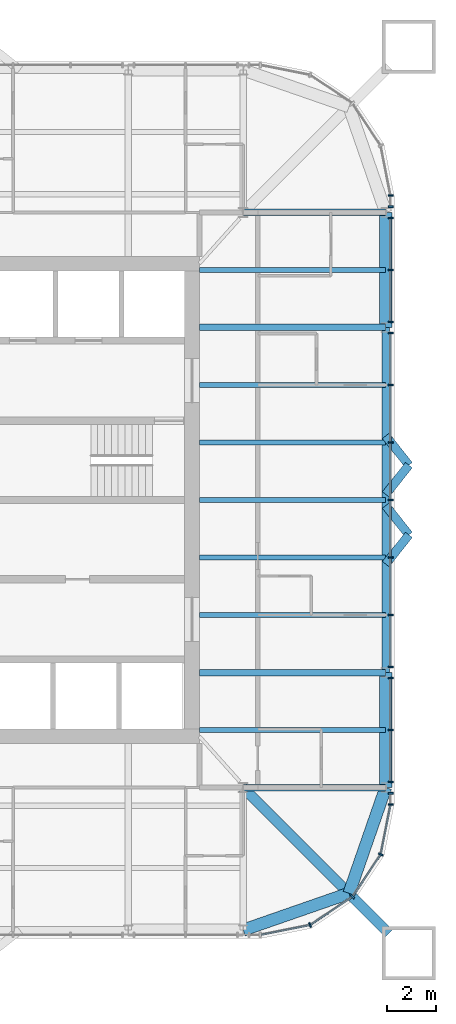
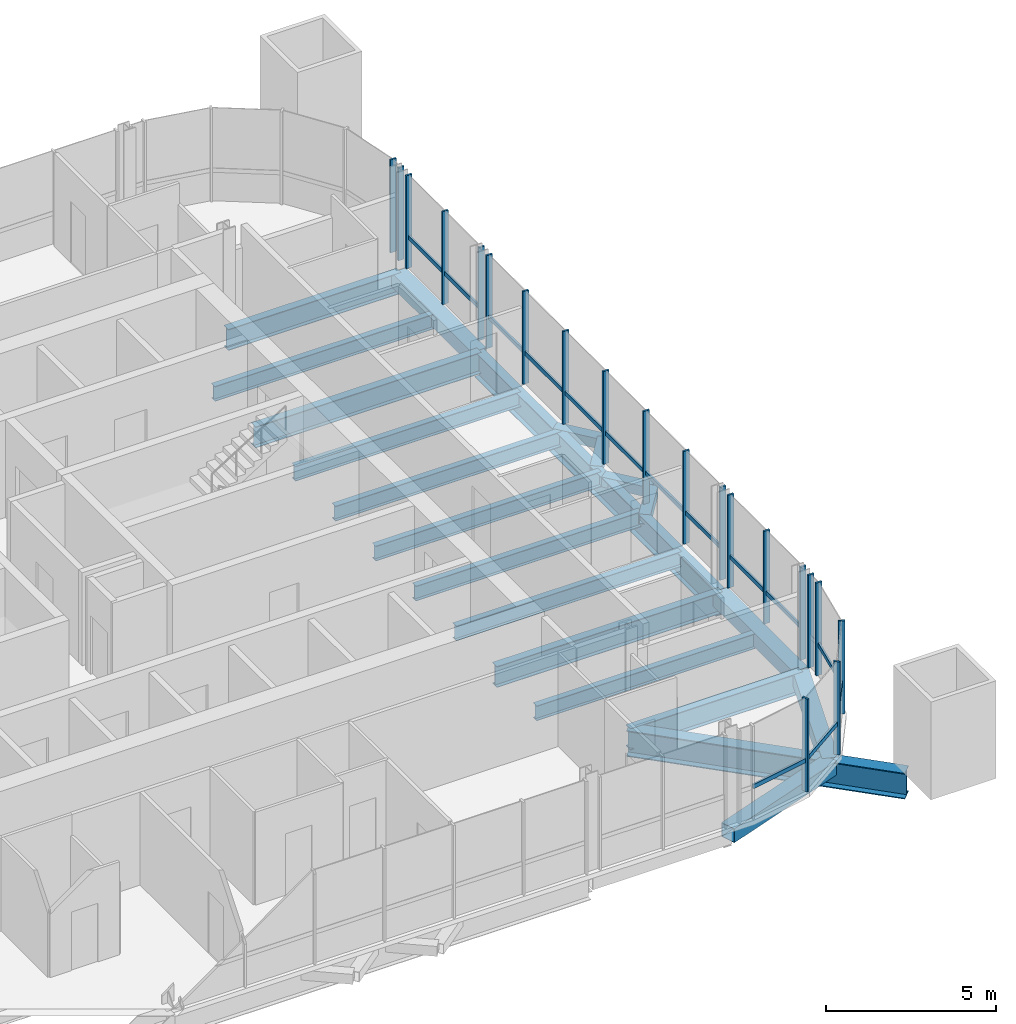
# One storey, part 5 of 17: 34 members, 21 beams, 6 elements without a shape of their own.
"""IFC4 building model written with IfcOpenShell, lengths in metres."""

import ifcopenshell
import ifcopenshell.guid

model = None  # the IFC model being written
_history = None  # IfcOwnerHistory: only IFC2X3 demands one
_inside = {}  # id of a spatial element -> (the spatial element, [elements in it])
_under = {}  # id of a project, library or spatial element -> (it, [spatial elements below it])
_declared = {}  # id of a project -> (the project, [libraries it declares])
_typed = {}  # id of a type object -> (the type object, [elements of that type])
_made_of = {}  # id of a material, layer set ... -> (it, [elements and type objects made of it])


def new_model(schema):
    """Start an empty IFC model of exactly this schema.

    Asked for "IFC4X3", IfcOpenShell would pick the latest addendum, in which some entities
    have other attributes; the version numbers below select the first issue.
    IFC2X3 requires an IfcOwnerHistory on every rooted entity: one is made here for all.
    """
    global model, _history
    if schema == "IFC4X3":
        model = ifcopenshell.file(schema_version=(4, 3, 0, 0))
    else:
        model = ifcopenshell.file(schema=schema)
    _inside.clear()
    _under.clear()
    _declared.clear()
    _typed.clear()
    _made_of.clear()
    _history = None
    if model.schema == "IFC2X3":
        org = make("IfcOrganization", Name="unknown")
        user = make(
            "IfcPersonAndOrganization",
            ThePerson=make("IfcPerson", FamilyName="unknown"),
            TheOrganization=org,
        )
        app = make(
            "IfcApplication",
            ApplicationDeveloper=org,
            Version="unknown",
            ApplicationFullName="unknown",
            ApplicationIdentifier="unknown",
        )
        _history = make(
            "IfcOwnerHistory",
            OwningUser=user,
            OwningApplication=app,
            ChangeAction="ADDED",
            CreationDate=0,
        )
    return model


def make(cls, **values):
    """One entity of the class cls with the attributes given. An attribute that is None is left unset."""
    return model.create_entity(
        cls, **{name: value for name, value in values.items() if value is not None}
    )


def rooted(cls, **values):
    """An entity with a GlobalId (a new one), such as an element, a storey or a relation."""
    return make(cls, GlobalId=ifcopenshell.guid.new(), OwnerHistory=_history, **values)


def si_unit(unit_type, name, prefix=None):
    """IfcSIUnit, for example si_unit("LENGTHUNIT", "METRE", prefix="MILLI")."""
    return make("IfcSIUnit", UnitType=unit_type, Prefix=prefix, Name=name)


def assignment(units):
    """IfcUnitAssignment: the units of a project."""
    return None if units is None else make("IfcUnitAssignment", Units=units)


def point(xyz):
    """IfcCartesianPoint."""
    return None if xyz is None else make("IfcCartesianPoint", Coordinates=xyz)


def direction(xyz):
    """IfcDirection."""
    return None if xyz is None else make("IfcDirection", DirectionRatios=xyz)


def frame(location, z_axis=None, x_axis=None):
    """IfcAxis2Placement3D, a coordinate frame: its origin and axes. An axis left out is left unset."""
    return make(
        "IfcAxis2Placement3D",
        Location=point(location),
        Axis=direction(z_axis),
        RefDirection=direction(x_axis),
    )


def frame_2d(location, x_axis=None):
    """IfcAxis2Placement2D, a coordinate frame in the plane: its origin and x axis."""
    return make(
        "IfcAxis2Placement2D", Location=point(location), RefDirection=direction(x_axis)
    )


def origin():
    """The frame at (0, 0, 0) with its axes left unset."""
    return frame((0.0, 0.0, 0.0))


def origin_2d():
    """The frame at (0, 0) in the plane with its x axis left unset."""
    return frame_2d((0.0, 0.0))


def place(relative_to, where):
    """IfcLocalPlacement: puts the frame where relative to a parent placement (None: the world)."""
    return make(
        "IfcLocalPlacement", PlacementRelTo=relative_to, RelativePlacement=where
    )


def context(
    kind, dimensions, precision=None, world=None, true_north=None, identifier=None
):
    """IfcGeometricRepresentationContext, for example the 3D "Model" context."""
    return make(
        "IfcGeometricRepresentationContext",
        ContextIdentifier=identifier,
        ContextType=kind,
        CoordinateSpaceDimension=dimensions,
        Precision=precision,
        WorldCoordinateSystem=world,
        TrueNorth=true_north,
    )


def subcontext(parent, identifier, kind, view, scale=None):
    """IfcGeometricRepresentationSubContext, for example "Body" below "Model"."""
    return make(
        "IfcGeometricRepresentationSubContext",
        ContextIdentifier=identifier,
        ContextType=kind,
        ParentContext=parent,
        TargetScale=scale,
        TargetView=view,
    )


def project(units=None, contexts=None):
    """IfcProject with its units and contexts."""
    return rooted(
        "IfcProject",
        Name="project",
        RepresentationContexts=contexts,
        UnitsInContext=assignment(units),
    )


def spatial(cls, under=None, at=None, **own):
    """A site, building, storey or space (cls), placed at a placement, below another one or the project."""
    s = rooted(cls, ObjectPlacement=at, **own)
    if under is not None:
        _under.setdefault(under.id(), (under, []))[1].append(s)
    return s


def profile(cls, at=None, kind="AREA", **sizes):
    """A parametric profile (cls). Its sizes go by their IFC names, for example OverallWidth=200.0."""
    return make(cls, ProfileType=kind, Position=at, **sizes)


def rectangle(**sizes):
    """IfcRectangleProfileDef."""
    return profile("IfcRectangleProfileDef", **sizes)


def hollow_rectangle(**sizes):
    """IfcRectangleHollowProfileDef."""
    return profile("IfcRectangleHollowProfileDef", **sizes)


def i_section(**sizes):
    """IfcIShapeProfileDef."""
    return profile("IfcIShapeProfileDef", **sizes)


def extrude(swept, where, along, depth):
    """IfcExtrudedAreaSolid: the profile swept, set in the frame where, extruded along a direction by depth."""
    return make(
        "IfcExtrudedAreaSolid",
        SweptArea=swept,
        Position=where,
        ExtrudedDirection=direction(along),
        Depth=depth,
    )


def shape(context_of_items, identifier, shape_type, items):
    """IfcShapeRepresentation: the items that make up one representation, for example the "Body"."""
    return make(
        "IfcShapeRepresentation",
        ContextOfItems=context_of_items,
        RepresentationIdentifier=identifier,
        RepresentationType=shape_type,
        Items=items,
    )


def material(Name=None, Category=None):
    """IfcMaterial."""
    return make("IfcMaterial", Name=Name, Category=Category)


def material_profile(
    of_material, cross_section, Name=None, Category=None, Priority=None
):
    """IfcMaterialProfile: a cross section and its material."""
    return make(
        "IfcMaterialProfile",
        Name=Name,
        Material=of_material,
        Profile=cross_section,
        Priority=Priority,
        Category=Category,
    )


def profile_set(profiles, Name=None, composite=None):
    """IfcMaterialProfileSet."""
    return make(
        "IfcMaterialProfileSet",
        Name=Name,
        MaterialProfiles=profiles,
        CompositeProfile=composite,
    )


def made_of(thing, what):
    """Note that an element or type object is made of a material, layer set ...; save() writes the relation."""
    if what is not None:
        _made_of.setdefault(what.id(), (what, []))[1].append(thing)
    return thing


def type_object(cls, material=None, **own):
    """A type object (cls), such as IfcWallType, which elements share."""
    return made_of(rooted(cls, **own), material)


def element(
    cls,
    number,
    at=None,
    inside=None,
    cuts=None,
    type_object=None,
    material=None,
    context=None,
    identifier="Body",
    shape_type=None,
    held_by="IfcProductDefinitionShape",
    body=None,
    shapes=None,
    **own,
):
    """One element of the class cls, such as IfcWall. Its Tag is "e" and its number.

    at: its placement. inside: the storey or other place that contains it. cuts: it is an
    opening in that element (IfcRelVoidsElement). A single representation is given by context,
    identifier, shape_type and body (its items); several are given by shapes. held_by: the class
    of the entity that holds the representations. save() writes the other relations.
    """
    e = rooted(cls, Tag="e%d" % number, ObjectPlacement=at, **own)
    if body is not None:
        shapes = [shape(context, identifier, shape_type, body)]
    if shapes is not None:
        e.Representation = make(held_by, Representations=shapes)
    if inside is not None:
        _inside.setdefault(inside.id(), (inside, []))[1].append(e)
    if cuts is not None:
        rooted(
            "IfcRelVoidsElement", RelatingBuildingElement=cuts, RelatedOpeningElement=e
        )
    if type_object is not None:
        _typed.setdefault(type_object.id(), (type_object, []))[1].append(e)
    return made_of(e, material)


def aggregate(whole, parts):
    """IfcRelAggregates: a whole, such as a stair, and the parts it consists of."""
    return rooted("IfcRelAggregates", RelatingObject=whole, RelatedObjects=parts)


def save(model, path):
    """Write the relations noted so far, then the file.

    IfcRelAggregates (storeys below a building ...), IfcRelContainedInSpatialStructure (elements
    in a storey), IfcRelDefinesByType, IfcRelAssociatesMaterial and IfcRelDeclares: one each for
    every whole, place, type object, material and project.
    """
    for whole, parts in _under.values():
        aggregate(whole, parts)
    for where, things in _inside.values():
        rooted(
            "IfcRelContainedInSpatialStructure",
            RelatedElements=things,
            RelatingStructure=where,
        )
    for kind, things in _typed.values():
        rooted("IfcRelDefinesByType", RelatedObjects=things, RelatingType=kind)
    for what, things in _made_of.values():
        rooted("IfcRelAssociatesMaterial", RelatedObjects=things, RelatingMaterial=what)
    for by, libraries in _declared.values():
        rooted("IfcRelDeclares", RelatingContext=by, RelatedDefinitions=libraries)
    model.write(path)


model = new_model("IFC4")

# Units and contexts
model_context = context("Model", 3, precision=1e-05, world=origin(), true_north=direction((0.0, 1.0)))
body_context = subcontext(model_context, "Body", "Model", "MODEL_VIEW")
ifc_project = project(units=[si_unit("LENGTHUNIT", "METRE"), si_unit("AREAUNIT", "SQUARE_METRE"), si_unit("VOLUMEUNIT", "CUBIC_METRE"), si_unit("PLANEANGLEUNIT", "RADIAN"), si_unit("MASSUNIT", "GRAM", prefix="KILO")], contexts=[model_context])

# Site, building, storey
site_placement = place(None, origin())
site = spatial("IfcSite", under=ifc_project, at=site_placement, CompositionType="ELEMENT")
building_placement = place(site_placement, origin())
building = spatial("IfcBuilding", under=site, at=building_placement, Name="Turquesa Mirador Hotel Tower", CompositionType="ELEMENT")
storey_placement = place(building_placement, frame((0.0, 0.0, 251.199951171875)))
storey = spatial("IfcBuildingStorey", under=building, at=storey_placement, Name="L68", CompositionType="ELEMENT", Elevation=251.199951171875)

# Beams
ifc_material_1 = material(Name="Steel ASTM A572 Grade 50", Category="steel")
ifc_material_profile_1 = material_profile(ifc_material_1, hollow_rectangle(XDim=0.5, YDim=0.5, WallThickness=0.01611328125, at=origin_2d()), Name="BOX500X500X16")
ifc_profile_set_1 = profile_set([ifc_material_profile_1], Name="Steel ASTM A572 Grade 50")
beam_type_1 = type_object("IfcBeamType", Name="BEAM BOX500X500X16", PredefinedType="BEAM", material=ifc_profile_set_1)
for number, where, z_axis, x_axis, name in (
    (1, (72.64990234375, 33.199951171875, -0.419921875), (0.0, 1.0, 0.0), (-1.0, 0.0, 0.0), "EB-L68-E-L"),
    (2, (72.64990234375, 52.080078125, -0.419921875), (0.0, 1.0, 0.0), (-1.0, 0.0, 0.0), "EB-L68-E-R"),
):
    element("IfcBeam", number, at=place(storey_placement, frame(where, z_axis=z_axis, x_axis=x_axis)), inside=storey, type_object=beam_type_1, Name=name, PredefinedType="BEAM", context=body_context, shape_type="SweptSolid", body=[
        extrude(hollow_rectangle(XDim=0.5, YDim=0.5, WallThickness=0.01611328125, at=origin_2d()), origin(), (0.0, 0.0, 1.0), 4.719970703125),
    ])
for number, where, z_axis, x_axis, name in (
    (3, (72.64990234375, 33.199951171875, -0.419921875), (-0.328170356092, -0.944618556552, 0.0), (0.944618556552, -0.328170356092, 0.0), "KE-L68-4-0"),
    (4, (71.1416015625, 28.8583984375, -0.419921875), (-0.944618556552, -0.328170356092, 0.0), (0.328170356092, -0.944618556552, 0.0), "KE-L68-4-1"),
):
    element("IfcBeam", number, at=place(storey_placement, frame(where, z_axis=z_axis, x_axis=x_axis)), inside=storey, type_object=beam_type_1, Name=name, PredefinedType="BEAM", context=body_context, shape_type="SweptSolid", body=[
        extrude(hollow_rectangle(XDim=0.5, YDim=0.5, WallThickness=0.01611328125, at=origin_2d()), origin(), (0.0, 0.0, 1.0), 4.59619140625),
    ])
ifc_material_2 = material(Name="Steel ASTM A992 Grade 50", Category="steel")
ifc_material_profile_2 = material_profile(ifc_material_2, i_section(OverallWidth=0.209228515625, OverallDepth=0.533447265625, WebThickness=0.01025390625, FlangeThickness=0.015625, at=origin_2d()), Name="W21X62")
ifc_profile_set_2 = profile_set([ifc_material_profile_2], Name="Steel ASTM A992 Grade 50")
beam_type_2 = type_object("IfcBeamType", Name="BEAM W21X62", PredefinedType="BEAM", material=ifc_profile_set_2)
for number, where, z_axis, x_axis, name in (
    (5, (72.64990234375, 35.56005859375, -0.436767578125), (-1.0, 0.0, 0.0), (0.0, -1.0, 0.0), "BM-L68-E--9.44"),
    (6, (72.64990234375, 40.280029296875, -0.436767578125), (-1.0, 0.0, 0.0), (0.0, -1.0, 0.0), "BM-L68-E--4.72"),
    (7, (72.64990234375, 42.639892578125, -0.436767578125), (-1.0, 0.0, 0.0), (0.0, -1.0, 0.0), "BM-L68-E--2.36"),
    (8, (72.64990234375, 45.0, -0.436767578125), (-1.0, 0.0, 0.0), (0.0, -1.0, 0.0), "BM-L68-E-+0.00"),
    (9, (72.64990234375, 47.360107421875, -0.436767578125), (-1.0, 0.0, 0.0), (0.0, -1.0, 0.0), "BM-L68-E-+2.36"),
    (10, (72.64990234375, 49.719970703125, -0.436767578125), (-1.0, 0.0, 0.0), (0.0, -1.0, 0.0), "BM-L68-E-+4.72"),
    (11, (72.64990234375, 54.43994140625, -0.436767578125), (-1.0, 0.0, 0.0), (0.0, -1.0, 0.0), "BM-L68-E-+9.44"),
):
    element("IfcBeam", number, at=place(storey_placement, frame(where, z_axis=z_axis, x_axis=x_axis)), inside=storey, type_object=beam_type_2, Name=name, PredefinedType="BEAM", context=body_context, shape_type="SweptSolid", body=[
        extrude(i_section(OverallWidth=0.209228515625, OverallDepth=0.533447265625, WebThickness=0.01025390625, FlangeThickness=0.015625, at=origin_2d()), origin(), (0.0, 0.0, 1.0), 7.64990234375),
    ])
ifc_material_3 = material(Name="Steel ASTM A992 Grade 50", Category="steel")
ifc_material_profile_3 = material_profile(ifc_material_3, i_section(OverallWidth=0.2666015625, OverallDepth=0.7568359375, WebThickness=0.013916015625, FlangeThickness=0.019287109375, at=origin_2d()), Name="W30X108")
ifc_profile_set_3 = profile_set([ifc_material_profile_3], Name="Steel ASTM A992 Grade 50")
beam_type_3 = type_object("IfcBeamType", Name="BEAM W30X108", PredefinedType="BEAM", material=ifc_profile_set_3)
for number, where, z_axis, x_axis, name in (
    (12, (72.64990234375, 37.919921875, -0.54833984375), (-1.0, 0.0, 0.0), (0.0, -1.0, 0.0), "GD-L68-E--7.08"),
    (13, (72.64990234375, 52.080078125, -0.54833984375), (-1.0, 0.0, 0.0), (0.0, -1.0, 0.0), "GD-L68-E-+7.08"),
):
    element("IfcBeam", number, at=place(storey_placement, frame(where, z_axis=z_axis, x_axis=x_axis)), inside=storey, type_object=beam_type_3, Name=name, PredefinedType="BEAM", context=body_context, shape_type="SweptSolid", body=[
        extrude(i_section(OverallWidth=0.2666015625, OverallDepth=0.7568359375, WebThickness=0.013916015625, FlangeThickness=0.019287109375, at=origin_2d()), origin(), (0.0, 0.0, 1.0), 7.64990234375),
    ])
for number, where, z_axis, x_axis, name in (
    (14, (72.64990234375, 33.199951171875, -0.54833984375), (-1.0, 0.0, 0.0), (0.0, -1.0, 0.0), "GK-L68-E--11.80"),
    (15, (72.64990234375, 56.800048828125, -0.54833984375), (-1.0, 0.0, 0.0), (0.0, -1.0, 0.0), "GK-L68-E-+11.80"),
):
    element("IfcBeam", number, at=place(storey_placement, frame(where, z_axis=z_axis, x_axis=x_axis)), inside=storey, type_object=beam_type_3, Name=name, PredefinedType="BEAM", context=body_context, shape_type="SweptSolid", body=[
        extrude(i_section(OverallWidth=0.2666015625, OverallDepth=0.7568359375, WebThickness=0.013916015625, FlangeThickness=0.019287109375, at=origin_2d()), origin(), (0.0, 0.0, 1.0), 5.849853515625),
    ])
ifc_material_4 = material(Name="Steel ASTM A992 Grade 50", Category="steel")
ifc_material_profile_4 = material_profile(ifc_material_4, i_section(OverallWidth=0.3046875, OverallDepth=0.911865234375, WebThickness=0.015869140625, FlangeThickness=0.02392578125, at=origin_2d()), Name="W36X150")
ifc_profile_set_4 = profile_set([ifc_material_profile_4], Name="Steel ASTM A992 Grade 50")
beam_type_4 = type_object("IfcBeamType", Name="BEAM W36X150", PredefinedType="BEAM", material=ifc_profile_set_4)
beam_1_placement = place(storey_placement, frame((72.64990234375, 37.919921875, -0.6259765625), z_axis=(0.0, 1.0, 0.0), x_axis=(-1.0, 0.0, 0.0)))
element("IfcBeam", 16, at=beam_1_placement, inside=storey, type_object=beam_type_4, Name="EB-L68-E-C", PredefinedType="BEAM", context=body_context, shape_type="SweptSolid", body=[
    extrude(i_section(OverallWidth=0.3046875, OverallDepth=0.911865234375, WebThickness=0.015869140625, FlangeThickness=0.02392578125, at=origin_2d()), origin(), (0.0, 0.0, 1.0), 14.16015625),
])
ifc_material_5 = material(Name="Steel ASTM A992 Grade 50", Category="steel")
ifc_material_profile_5 = material_profile(ifc_material_5, i_section(OverallWidth=0.419189453125, OverallDepth=0.927001953125, WebThickness=0.019287109375, FlangeThickness=0.031982421875, at=origin_2d()), Name="W36X231")
ifc_profile_set_5 = profile_set([ifc_material_profile_5], Name="Steel ASTM A992 Grade 50")
beam_type_5 = type_object("IfcBeamType", Name="BEAM W36X231", PredefinedType="BEAM", material=ifc_profile_set_5)
beam_2_placement = place(storey_placement, frame((66.800048828125, 33.199951171875, -0.633544921875), z_axis=(0.707106781187, -0.707106781187, 0.0), x_axis=(0.707106781187, 0.707106781187, 0.0)))
element("IfcBeam", 17, at=beam_2_placement, inside=storey, type_object=beam_type_5, Name="KD-L68-4", PredefinedType="BEAM", context=body_context, shape_type="SweptSolid", body=[
    extrude(i_section(OverallWidth=0.419189453125, OverallDepth=0.927001953125, WebThickness=0.019287109375, FlangeThickness=0.031982421875, at=origin_2d()), origin(), (0.0, 0.0, 1.0), 8.46240234375),
])
ifc_material_6 = material(Name="Steel ASTM A500 Grade C", Category="steel")
ifc_material_profile_6 = material_profile(ifc_material_6, hollow_rectangle(XDim=0.355712890625, YDim=0.355712890625, WallThickness=0.0146484375, at=origin_2d()), Name="HSS14X14X5/8")
ifc_profile_set_6 = profile_set([ifc_material_profile_6], Name="Steel ASTM A500 Grade C")
beam_type_6 = type_object("IfcBeamType", Name="BRACE STRUT HSS14X14X5/8", PredefinedType="BEAM", material=ifc_profile_set_6)
beam_3_placement = place(storey_placement, frame((73.60009765625, 46.4306640625, -0.34765625), z_axis=(-0.620796907089, -0.783971428146, 0.0), x_axis=(0.783971428146, -0.620796907089, 0.0)))
element("IfcBeam", 18, at=beam_3_placement, inside=storey, type_object=beam_type_6, Name="Brace strut", PredefinedType="BEAM", context=body_context, shape_type="SweptSolid", body=[
    extrude(hollow_rectangle(XDim=0.355712890625, YDim=0.355712890625, WallThickness=0.0146484375, at=origin_2d()), origin(), (0.0, 0.0, 1.0), 1.530517578125),
])
for number, where, z_axis, x_axis, name in (
    (19, (73.60009765625, 46.4306640625, -0.34765625), (-0.620719284306, 0.784032888399, 0.0), (-0.784032888399, -0.620719284306, 0.0), "Brace strut"),
    (20, (73.60009765625, 43.5693359375, -0.34765625), (-0.620719284306, -0.784032888399, 0.0), (0.784032888399, -0.620719284306, 0.0), "Brace strut"),
):
    element("IfcBeam", number, at=place(storey_placement, frame(where, z_axis=z_axis, x_axis=x_axis)), inside=storey, type_object=beam_type_6, Name=name, PredefinedType="BEAM", context=body_context, shape_type="SweptSolid", body=[
        extrude(hollow_rectangle(XDim=0.355712890625, YDim=0.355712890625, WallThickness=0.0146484375, at=origin_2d()), origin(), (0.0, 0.0, 1.0), 1.53076171875),
    ])
beam_4_placement = place(storey_placement, frame((73.60009765625, 43.5693359375, -0.34765625), z_axis=(-0.620796907089, 0.783971428146, 0.0), x_axis=(-0.783971428146, -0.620796907089, 0.0)))
element("IfcBeam", 21, at=beam_4_placement, inside=storey, type_object=beam_type_6, Name="Brace strut", PredefinedType="BEAM", context=body_context, shape_type="SweptSolid", body=[
    extrude(hollow_rectangle(XDim=0.355712890625, YDim=0.355712890625, WallThickness=0.0146484375, at=origin_2d()), origin(), (0.0, 0.0, 1.0), 1.530517578125),
])

# Curtain wall, members
ifc_material_7 = material(Name="Aluminium extrusion", Category="aluminium")
curtain_wall_type = type_object("IfcCurtainWallType", Name="CW-4 SUITE FRITTED CURTAIN WALL", PredefinedType="USERDEFINED", material=ifc_material_7)
curtain_wall_1_placement = place(storey_placement, origin())
curtain_wall_1 = element("IfcCurtainWall", 22, at=curtain_wall_1_placement, inside=storey, type_object=curtain_wall_type, Name="CW-4 SUITE FRITTED CURTAIN WALL L68", ObjectType="CURTAIN WALL", PredefinedType="USERDEFINED")
ifc_material_8 = material(Name="Aluminium extrusion", Category="aluminium")
ifc_material_profile_7 = material_profile(ifc_material_8, rectangle(XDim=0.06494140625, YDim=0.199951171875, at=origin_2d()), Name="MULLION 65X200")
ifc_profile_set_7 = profile_set([ifc_material_profile_7], Name="Aluminium extrusion")
member_type_1 = type_object("IfcMemberType", Name="CW MULLION 65X200", PredefinedType="MULLION", material=ifc_profile_set_7)
member_1_placement = place(storey_placement, frame((69.54736328125, 27.55712890625, 0.0), z_axis=(0.0, 0.0, 1.0), x_axis=(0.923879532511, 0.382683432365, 0.0)))
member_1 = element("IfcMember", 23, at=member_1_placement, type_object=member_type_1, Name="Mullion", PredefinedType="MULLION", context=body_context, shape_type="SweptSolid", body=[
    extrude(rectangle(XDim=0.06494140625, YDim=0.199951171875, at=origin_2d()), origin(), (0.0, 0.0, 1.0), 3.330078125),
])
member_2_placement = place(storey_placement, frame((71.282958984375, 28.717041015625, 0.0), z_axis=(0.0, 0.0, 1.0), x_axis=(0.707106781187, 0.707106781187, 0.0)))
member_2 = element("IfcMember", 24, at=member_2_placement, type_object=member_type_1, Name="Mullion", PredefinedType="MULLION", context=body_context, shape_type="SweptSolid", body=[
    extrude(rectangle(XDim=0.06494140625, YDim=0.199951171875, at=origin_2d()), origin(), (0.0, 0.0, 1.0), 3.330078125),
])
member_3_placement = place(storey_placement, frame((72.44287109375, 30.45263671875, 0.0), z_axis=(0.0, 0.0, 1.0), x_axis=(0.382683432365, 0.923879532511, 0.0)))
member_3 = element("IfcMember", 25, at=member_3_placement, type_object=member_type_1, Name="Mullion", PredefinedType="MULLION", context=body_context, shape_type="SweptSolid", body=[
    extrude(rectangle(XDim=0.06494140625, YDim=0.199951171875, at=origin_2d()), origin(), (0.0, 0.0, 1.0), 3.330078125),
])

curtain_wall_2_placement = place(storey_placement, origin())
curtain_wall_2 = element("IfcCurtainWall", 26, at=curtain_wall_2_placement, inside=storey, type_object=curtain_wall_type, Name="CW-4 SUITE FRITTED CURTAIN WALL L68", ObjectType="CURTAIN WALL", PredefinedType="USERDEFINED")
member_4_placement = place(storey_placement, frame((72.85009765625, 32.5, 0.0), z_axis=(0.0, 0.0, 1.0), x_axis=(0.0, 1.0, 0.0)))
member_4 = element("IfcMember", 27, at=member_4_placement, type_object=member_type_1, Name="Mullion", PredefinedType="MULLION", context=body_context, shape_type="SweptSolid", body=[
    extrude(rectangle(XDim=0.06494140625, YDim=0.199951171875, at=origin_2d()), origin(), (0.0, 0.0, 1.0), 3.330078125),
])
member_5_placement = place(storey_placement, frame((72.85009765625, 32.966064453125, 0.0), z_axis=(0.0, 0.0, 1.0), x_axis=(0.0, 1.0, 0.0)))
member_5 = element("IfcMember", 28, at=member_5_placement, type_object=member_type_1, Name="Mullion", PredefinedType="MULLION", context=body_context, shape_type="SweptSolid", body=[
    extrude(rectangle(XDim=0.06494140625, YDim=0.199951171875, at=origin_2d()), origin(), (0.0, 0.0, 1.0), 3.330078125),
])
aggregate(curtain_wall_2, [member_4, member_5])

curtain_wall_3_placement = place(storey_placement, origin())
curtain_wall_3 = element("IfcCurtainWall", 29, at=curtain_wall_3_placement, inside=storey, type_object=curtain_wall_type, Name="CW-4 SUITE FRITTED CURTAIN WALL L68", ObjectType="CURTAIN WALL", PredefinedType="USERDEFINED")
member_6_placement = place(storey_placement, frame((72.85009765625, 33.433837890625, 0.0), z_axis=(0.0, 0.0, 1.0), x_axis=(0.0, 1.0, 0.0)))
member_6 = element("IfcMember", 30, at=member_6_placement, type_object=member_type_1, Name="Mullion", PredefinedType="MULLION", context=body_context, shape_type="SweptSolid", body=[
    extrude(rectangle(XDim=0.06494140625, YDim=0.199951171875, at=origin_2d()), origin(), (0.0, 0.0, 1.0), 3.330078125),
])
member_7_placement = place(storey_placement, frame((72.85009765625, 35.56005859375, 0.0), z_axis=(0.0, 0.0, 1.0), x_axis=(0.0, 1.0, 0.0)))
member_7 = element("IfcMember", 31, at=member_7_placement, type_object=member_type_1, Name="Mullion", PredefinedType="MULLION", context=body_context, shape_type="SweptSolid", body=[
    extrude(rectangle(XDim=0.06494140625, YDim=0.199951171875, at=origin_2d()), origin(), (0.0, 0.0, 1.0), 3.330078125),
])
member_8_placement = place(storey_placement, frame((72.85009765625, 37.68603515625, 0.0), z_axis=(0.0, 0.0, 1.0), x_axis=(0.0, 1.0, 0.0)))
member_8 = element("IfcMember", 32, at=member_8_placement, type_object=member_type_1, Name="Mullion", PredefinedType="MULLION", context=body_context, shape_type="SweptSolid", body=[
    extrude(rectangle(XDim=0.06494140625, YDim=0.199951171875, at=origin_2d()), origin(), (0.0, 0.0, 1.0), 3.330078125),
])

curtain_wall_4_placement = place(storey_placement, origin())
curtain_wall_4 = element("IfcCurtainWall", 33, at=curtain_wall_4_placement, inside=storey, type_object=curtain_wall_type, Name="CW-4 SUITE FRITTED CURTAIN WALL L68", ObjectType="CURTAIN WALL", PredefinedType="USERDEFINED")
member_9_placement = place(storey_placement, frame((72.85009765625, 38.15380859375, 0.0), z_axis=(0.0, 0.0, 1.0), x_axis=(0.0, 1.0, 0.0)))
member_9 = element("IfcMember", 34, at=member_9_placement, type_object=member_type_1, Name="Mullion", PredefinedType="MULLION", context=body_context, shape_type="SweptSolid", body=[
    extrude(rectangle(XDim=0.06494140625, YDim=0.199951171875, at=origin_2d()), origin(), (0.0, 0.0, 1.0), 3.330078125),
])
member_10_placement = place(storey_placement, frame((72.85009765625, 40.280029296875, 0.0), z_axis=(0.0, 0.0, 1.0), x_axis=(0.0, 1.0, 0.0)))
member_10 = element("IfcMember", 35, at=member_10_placement, type_object=member_type_1, Name="Mullion", PredefinedType="MULLION", context=body_context, shape_type="SweptSolid", body=[
    extrude(rectangle(XDim=0.06494140625, YDim=0.199951171875, at=origin_2d()), origin(), (0.0, 0.0, 1.0), 3.330078125),
])
member_11_placement = place(storey_placement, frame((72.85009765625, 42.639892578125, 0.0), z_axis=(0.0, 0.0, 1.0), x_axis=(0.0, 1.0, 0.0)))
member_11 = element("IfcMember", 36, at=member_11_placement, type_object=member_type_1, Name="Mullion", PredefinedType="MULLION", context=body_context, shape_type="SweptSolid", body=[
    extrude(rectangle(XDim=0.06494140625, YDim=0.199951171875, at=origin_2d()), origin(), (0.0, 0.0, 1.0), 3.330078125),
])
member_12_placement = place(storey_placement, frame((72.85009765625, 45.0, 0.0), z_axis=(0.0, 0.0, 1.0), x_axis=(0.0, 1.0, 0.0)))
member_12 = element("IfcMember", 37, at=member_12_placement, type_object=member_type_1, Name="Mullion", PredefinedType="MULLION", context=body_context, shape_type="SweptSolid", body=[
    extrude(rectangle(XDim=0.06494140625, YDim=0.199951171875, at=origin_2d()), origin(), (0.0, 0.0, 1.0), 3.330078125),
])
member_13_placement = place(storey_placement, frame((72.85009765625, 47.360107421875, 0.0), z_axis=(0.0, 0.0, 1.0), x_axis=(0.0, 1.0, 0.0)))
member_13 = element("IfcMember", 38, at=member_13_placement, type_object=member_type_1, Name="Mullion", PredefinedType="MULLION", context=body_context, shape_type="SweptSolid", body=[
    extrude(rectangle(XDim=0.06494140625, YDim=0.199951171875, at=origin_2d()), origin(), (0.0, 0.0, 1.0), 3.330078125),
])
member_14_placement = place(storey_placement, frame((72.85009765625, 49.719970703125, 0.0), z_axis=(0.0, 0.0, 1.0), x_axis=(0.0, 1.0, 0.0)))
member_14 = element("IfcMember", 39, at=member_14_placement, type_object=member_type_1, Name="Mullion", PredefinedType="MULLION", context=body_context, shape_type="SweptSolid", body=[
    extrude(rectangle(XDim=0.06494140625, YDim=0.199951171875, at=origin_2d()), origin(), (0.0, 0.0, 1.0), 3.330078125),
])
member_15_placement = place(storey_placement, frame((72.85009765625, 51.84619140625, 0.0), z_axis=(0.0, 0.0, 1.0), x_axis=(0.0, 1.0, 0.0)))
member_15 = element("IfcMember", 40, at=member_15_placement, type_object=member_type_1, Name="Mullion", PredefinedType="MULLION", context=body_context, shape_type="SweptSolid", body=[
    extrude(rectangle(XDim=0.06494140625, YDim=0.199951171875, at=origin_2d()), origin(), (0.0, 0.0, 1.0), 3.330078125),
])

curtain_wall_5_placement = place(storey_placement, origin())
curtain_wall_5 = element("IfcCurtainWall", 41, at=curtain_wall_5_placement, inside=storey, type_object=curtain_wall_type, Name="CW-4 SUITE FRITTED CURTAIN WALL L68", ObjectType="CURTAIN WALL", PredefinedType="USERDEFINED")
member_16_placement = place(storey_placement, frame((72.85009765625, 52.31396484375, 0.0), z_axis=(0.0, 0.0, 1.0), x_axis=(0.0, 1.0, 0.0)))
member_16 = element("IfcMember", 42, at=member_16_placement, type_object=member_type_1, Name="Mullion", PredefinedType="MULLION", context=body_context, shape_type="SweptSolid", body=[
    extrude(rectangle(XDim=0.06494140625, YDim=0.199951171875, at=origin_2d()), origin(), (0.0, 0.0, 1.0), 3.330078125),
])
member_17_placement = place(storey_placement, frame((72.85009765625, 54.43994140625, 0.0), z_axis=(0.0, 0.0, 1.0), x_axis=(0.0, 1.0, 0.0)))
member_17 = element("IfcMember", 43, at=member_17_placement, type_object=member_type_1, Name="Mullion", PredefinedType="MULLION", context=body_context, shape_type="SweptSolid", body=[
    extrude(rectangle(XDim=0.06494140625, YDim=0.199951171875, at=origin_2d()), origin(), (0.0, 0.0, 1.0), 3.330078125),
])
member_18_placement = place(storey_placement, frame((72.85009765625, 56.566162109375, 0.0), z_axis=(0.0, 0.0, 1.0), x_axis=(0.0, 1.0, 0.0)))
member_18 = element("IfcMember", 44, at=member_18_placement, type_object=member_type_1, Name="Mullion", PredefinedType="MULLION", context=body_context, shape_type="SweptSolid", body=[
    extrude(rectangle(XDim=0.06494140625, YDim=0.199951171875, at=origin_2d()), origin(), (0.0, 0.0, 1.0), 3.330078125),
])

curtain_wall_6_placement = place(storey_placement, origin())
curtain_wall_6 = element("IfcCurtainWall", 45, at=curtain_wall_6_placement, inside=storey, type_object=curtain_wall_type, Name="CW-4 SUITE FRITTED CURTAIN WALL L68", ObjectType="CURTAIN WALL", PredefinedType="USERDEFINED")
member_19_placement = place(storey_placement, frame((72.85009765625, 57.033935546875, 0.0), z_axis=(0.0, 0.0, 1.0), x_axis=(0.0, 1.0, 0.0)))
member_19 = element("IfcMember", 46, at=member_19_placement, type_object=member_type_1, Name="Mullion", PredefinedType="MULLION", context=body_context, shape_type="SweptSolid", body=[
    extrude(rectangle(XDim=0.06494140625, YDim=0.199951171875, at=origin_2d()), origin(), (0.0, 0.0, 1.0), 3.330078125),
])
member_20_placement = place(storey_placement, frame((72.85009765625, 57.5, 0.0), z_axis=(0.0, 0.0, 1.0), x_axis=(0.0, 1.0, 0.0)))
member_20 = element("IfcMember", 47, at=member_20_placement, type_object=member_type_1, Name="Mullion", PredefinedType="MULLION", context=body_context, shape_type="SweptSolid", body=[
    extrude(rectangle(XDim=0.06494140625, YDim=0.199951171875, at=origin_2d()), origin(), (0.0, 0.0, 1.0), 3.330078125),
])
aggregate(curtain_wall_6, [member_19, member_20])

# Member
ifc_material_9 = material(Name="Aluminium extrusion", Category="aluminium")
ifc_material_profile_8 = material_profile(ifc_material_9, rectangle(XDim=0.06494140625, YDim=0.14990234375, at=origin_2d()), Name="TRANSOM 65X150")
ifc_profile_set_8 = profile_set([ifc_material_profile_8], Name="Aluminium extrusion")
member_type_2 = type_object("IfcMemberType", Name="CW TRANSOM 65X150", PredefinedType="USERDEFINED", material=ifc_profile_set_8)
member_21_placement = place(storey_placement, frame((67.531982421875, 27.15625, 1.10009765625), z_axis=(0.980761343592, 0.195210621934, 0.0), x_axis=(-0.195210621934, 0.980761343592, 0.0)))
member_21 = element("IfcMember", 48, at=member_21_placement, type_object=member_type_2, Name="Transom", ObjectType="TRANSOM", PredefinedType="USERDEFINED", context=body_context, shape_type="SweptSolid", body=[
    extrude(rectangle(XDim=0.06494140625, YDim=0.14990234375, at=origin_2d()), origin(), (0.0, 0.0, 1.0), 2.022216796875),
])

member_22_placement = place(storey_placement, frame((69.574462890625, 27.5751953125, 1.10009765625), z_axis=(0.831436961136, 0.555619095835, 0.0), x_axis=(-0.555619095835, 0.831436961136, 0.0)))
member_22 = element("IfcMember", 49, at=member_22_placement, type_object=member_type_2, Name="Transom", ObjectType="TRANSOM", PredefinedType="USERDEFINED", context=body_context, shape_type="SweptSolid", body=[
    extrude(rectangle(XDim=0.06494140625, YDim=0.14990234375, at=origin_2d()), origin(), (0.0, 0.0, 1.0), 2.0224609375),
])

member_23_placement = place(storey_placement, frame((71.301025390625, 28.743896484375, 1.10009765625), z_axis=(0.555619095835, 0.831436961136, 0.0), x_axis=(-0.831436961136, 0.555619095835, 0.0)))
member_23 = element("IfcMember", 50, at=member_23_placement, type_object=member_type_2, Name="Transom", ObjectType="TRANSOM", PredefinedType="USERDEFINED", context=body_context, shape_type="SweptSolid", body=[
    extrude(rectangle(XDim=0.06494140625, YDim=0.14990234375, at=origin_2d()), origin(), (0.0, 0.0, 1.0), 2.0224609375),
])

member_24_placement = place(storey_placement, frame((72.448974609375, 30.484619140625, 1.10009765625), z_axis=(0.195210621934, 0.980761343592, 0.0), x_axis=(-0.980761343592, 0.195210621934, 0.0)))
member_24 = element("IfcMember", 51, at=member_24_placement, type_object=member_type_2, Name="Transom", ObjectType="TRANSOM", PredefinedType="USERDEFINED", context=body_context, shape_type="SweptSolid", body=[
    extrude(rectangle(XDim=0.06494140625, YDim=0.14990234375, at=origin_2d()), origin(), (0.0, 0.0, 1.0), 2.022216796875),
])

aggregate(curtain_wall_1, [member_1, member_2, member_3, member_21, member_22, member_23, member_24])

member_25_placement = place(storey_placement, frame((72.85009765625, 33.46630859375, 1.10009765625), z_axis=(0.0, 1.0, 0.0), x_axis=(-1.0, 0.0, 0.0)))
member_25 = element("IfcMember", 52, at=member_25_placement, type_object=member_type_2, Name="Transom", ObjectType="TRANSOM", PredefinedType="USERDEFINED", context=body_context, shape_type="SweptSolid", body=[
    extrude(rectangle(XDim=0.06494140625, YDim=0.14990234375, at=origin_2d()), origin(), (0.0, 0.0, 1.0), 2.061279296875),
])

member_26_placement = place(storey_placement, frame((72.85009765625, 35.592529296875, 1.10009765625), z_axis=(0.0, 1.0, 0.0), x_axis=(-1.0, 0.0, 0.0)))
member_26 = element("IfcMember", 53, at=member_26_placement, type_object=member_type_2, Name="Transom", ObjectType="TRANSOM", PredefinedType="USERDEFINED", context=body_context, shape_type="SweptSolid", body=[
    extrude(rectangle(XDim=0.06494140625, YDim=0.14990234375, at=origin_2d()), origin(), (0.0, 0.0, 1.0), 2.06103515625),
])

aggregate(curtain_wall_3, [member_6, member_7, member_8, member_25, member_26])

member_27_placement = place(storey_placement, frame((72.85009765625, 38.186279296875, 1.10009765625), z_axis=(0.0, 1.0, 0.0), x_axis=(-1.0, 0.0, 0.0)))
member_27 = element("IfcMember", 54, at=member_27_placement, type_object=member_type_2, Name="Transom", ObjectType="TRANSOM", PredefinedType="USERDEFINED", context=body_context, shape_type="SweptSolid", body=[
    extrude(rectangle(XDim=0.06494140625, YDim=0.14990234375, at=origin_2d()), origin(), (0.0, 0.0, 1.0), 2.061279296875),
])

member_28_placement = place(storey_placement, frame((72.85009765625, 40.3125, 1.10009765625), z_axis=(0.0, 1.0, 0.0), x_axis=(-1.0, 0.0, 0.0)))
member_28 = element("IfcMember", 55, at=member_28_placement, type_object=member_type_2, Name="Transom", ObjectType="TRANSOM", PredefinedType="USERDEFINED", context=body_context, shape_type="SweptSolid", body=[
    extrude(rectangle(XDim=0.06494140625, YDim=0.14990234375, at=origin_2d()), origin(), (0.0, 0.0, 1.0), 2.294921875),
])

member_29_placement = place(storey_placement, frame((72.85009765625, 42.672607421875, 1.10009765625), z_axis=(0.0, 1.0, 0.0), x_axis=(-1.0, 0.0, 0.0)))
member_29 = element("IfcMember", 56, at=member_29_placement, type_object=member_type_2, Name="Transom", ObjectType="TRANSOM", PredefinedType="USERDEFINED", context=body_context, shape_type="SweptSolid", body=[
    extrude(rectangle(XDim=0.06494140625, YDim=0.14990234375, at=origin_2d()), origin(), (0.0, 0.0, 1.0), 2.294921875),
])

member_30_placement = place(storey_placement, frame((72.85009765625, 45.032470703125, 1.10009765625), z_axis=(0.0, 1.0, 0.0), x_axis=(-1.0, 0.0, 0.0)))
member_30 = element("IfcMember", 57, at=member_30_placement, type_object=member_type_2, Name="Transom", ObjectType="TRANSOM", PredefinedType="USERDEFINED", context=body_context, shape_type="SweptSolid", body=[
    extrude(rectangle(XDim=0.06494140625, YDim=0.14990234375, at=origin_2d()), origin(), (0.0, 0.0, 1.0), 2.294921875),
])

member_31_placement = place(storey_placement, frame((72.85009765625, 47.392578125, 1.10009765625), z_axis=(0.0, 1.0, 0.0), x_axis=(-1.0, 0.0, 0.0)))
member_31 = element("IfcMember", 58, at=member_31_placement, type_object=member_type_2, Name="Transom", ObjectType="TRANSOM", PredefinedType="USERDEFINED", context=body_context, shape_type="SweptSolid", body=[
    extrude(rectangle(XDim=0.06494140625, YDim=0.14990234375, at=origin_2d()), origin(), (0.0, 0.0, 1.0), 2.294921875),
])

member_32_placement = place(storey_placement, frame((72.85009765625, 49.75244140625, 1.10009765625), z_axis=(0.0, 1.0, 0.0), x_axis=(-1.0, 0.0, 0.0)))
member_32 = element("IfcMember", 59, at=member_32_placement, type_object=member_type_2, Name="Transom", ObjectType="TRANSOM", PredefinedType="USERDEFINED", context=body_context, shape_type="SweptSolid", body=[
    extrude(rectangle(XDim=0.06494140625, YDim=0.14990234375, at=origin_2d()), origin(), (0.0, 0.0, 1.0), 2.061279296875),
])

aggregate(curtain_wall_4, [member_9, member_10, member_11, member_12, member_13, member_14, member_15, member_27, member_28, member_29, member_30, member_31, member_32])

member_33_placement = place(storey_placement, frame((72.85009765625, 52.346435546875, 1.10009765625), z_axis=(0.0, 1.0, 0.0), x_axis=(-1.0, 0.0, 0.0)))
member_33 = element("IfcMember", 60, at=member_33_placement, type_object=member_type_2, Name="Transom", ObjectType="TRANSOM", PredefinedType="USERDEFINED", context=body_context, shape_type="SweptSolid", body=[
    extrude(rectangle(XDim=0.06494140625, YDim=0.14990234375, at=origin_2d()), origin(), (0.0, 0.0, 1.0), 2.06103515625),
])

member_34_placement = place(storey_placement, frame((72.85009765625, 54.472412109375, 1.10009765625), z_axis=(0.0, 1.0, 0.0), x_axis=(-1.0, 0.0, 0.0)))
member_34 = element("IfcMember", 61, at=member_34_placement, type_object=member_type_2, Name="Transom", ObjectType="TRANSOM", PredefinedType="USERDEFINED", context=body_context, shape_type="SweptSolid", body=[
    extrude(rectangle(XDim=0.06494140625, YDim=0.14990234375, at=origin_2d()), origin(), (0.0, 0.0, 1.0), 2.061279296875),
])

aggregate(curtain_wall_5, [member_16, member_17, member_18, member_33, member_34])

save(model, "model.ifc")
